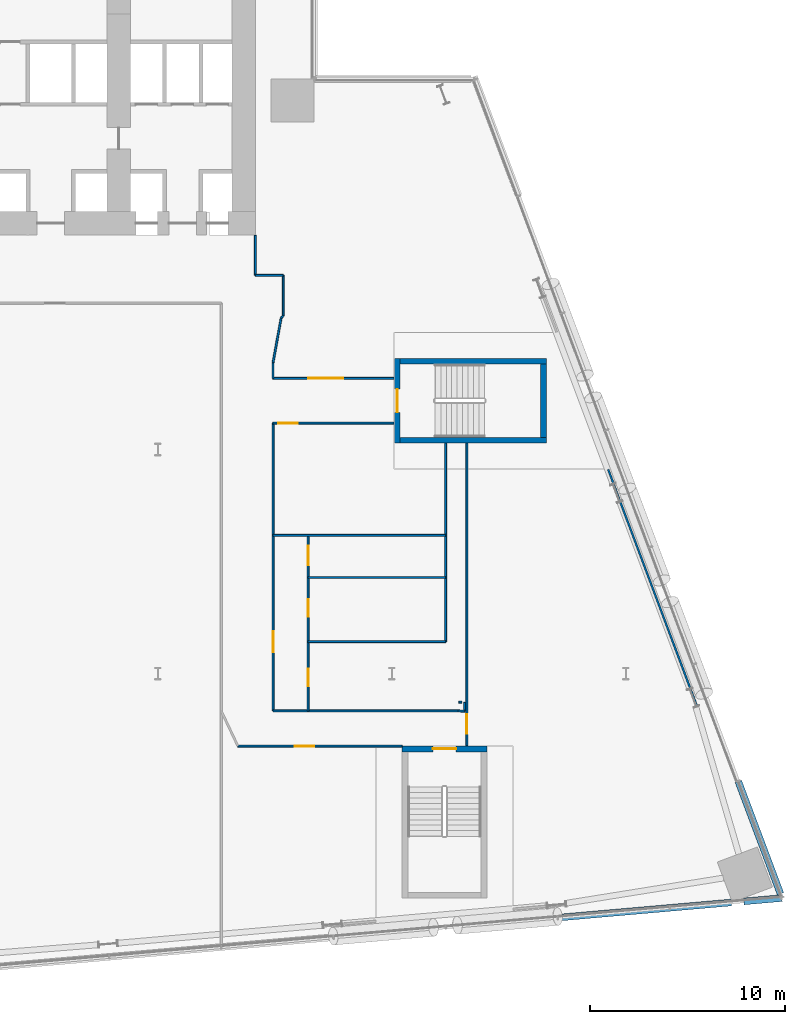
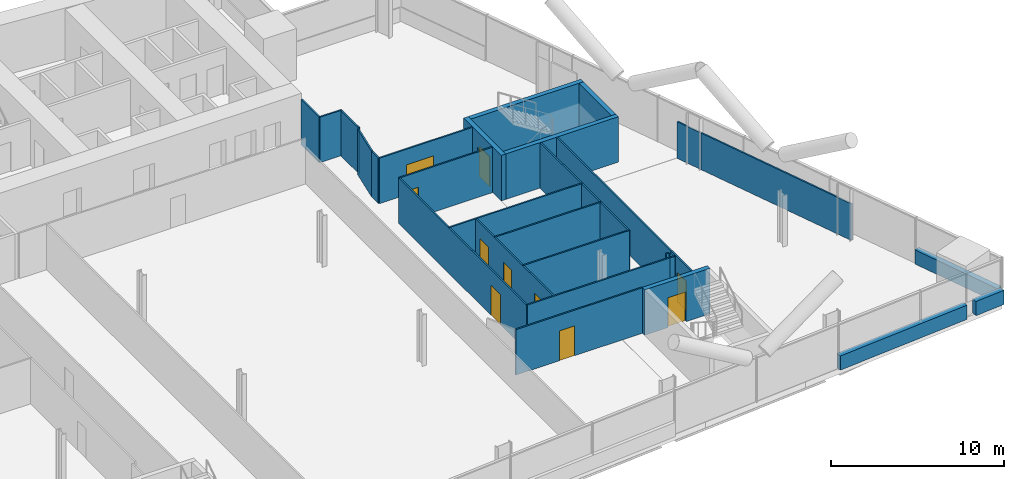
# One storey, part 17 of 25: 30 walls, 10 doors, 10 openings.
"""IFC4 building model written with IfcOpenShell, lengths in metres."""

import ifcopenshell
import ifcopenshell.guid

model = None  # the IFC model being written
_history = None  # IfcOwnerHistory: only IFC2X3 demands one
_inside = {}  # id of a spatial element -> (the spatial element, [elements in it])
_under = {}  # id of a project, library or spatial element -> (it, [spatial elements below it])
_declared = {}  # id of a project -> (the project, [libraries it declares])
_typed = {}  # id of a type object -> (the type object, [elements of that type])
_made_of = {}  # id of a material, layer set ... -> (it, [elements and type objects made of it])


def new_model(schema):
    """Start an empty IFC model of exactly this schema.

    Asked for "IFC4X3", IfcOpenShell would pick the latest addendum, in which some entities
    have other attributes; the version numbers below select the first issue.
    IFC2X3 requires an IfcOwnerHistory on every rooted entity: one is made here for all.
    """
    global model, _history
    if schema == "IFC4X3":
        model = ifcopenshell.file(schema_version=(4, 3, 0, 0))
    else:
        model = ifcopenshell.file(schema=schema)
    _inside.clear()
    _under.clear()
    _declared.clear()
    _typed.clear()
    _made_of.clear()
    _history = None
    if model.schema == "IFC2X3":
        org = make("IfcOrganization", Name="unknown")
        user = make(
            "IfcPersonAndOrganization",
            ThePerson=make("IfcPerson", FamilyName="unknown"),
            TheOrganization=org,
        )
        app = make(
            "IfcApplication",
            ApplicationDeveloper=org,
            Version="unknown",
            ApplicationFullName="unknown",
            ApplicationIdentifier="unknown",
        )
        _history = make(
            "IfcOwnerHistory",
            OwningUser=user,
            OwningApplication=app,
            ChangeAction="ADDED",
            CreationDate=0,
        )
    return model


def make(cls, **values):
    """One entity of the class cls with the attributes given. An attribute that is None is left unset."""
    return model.create_entity(
        cls, **{name: value for name, value in values.items() if value is not None}
    )


def rooted(cls, **values):
    """An entity with a GlobalId (a new one), such as an element, a storey or a relation."""
    return make(cls, GlobalId=ifcopenshell.guid.new(), OwnerHistory=_history, **values)


def si_unit(unit_type, name, prefix=None):
    """IfcSIUnit, for example si_unit("LENGTHUNIT", "METRE", prefix="MILLI")."""
    return make("IfcSIUnit", UnitType=unit_type, Prefix=prefix, Name=name)


def assignment(units):
    """IfcUnitAssignment: the units of a project."""
    return None if units is None else make("IfcUnitAssignment", Units=units)


def point(xyz):
    """IfcCartesianPoint."""
    return None if xyz is None else make("IfcCartesianPoint", Coordinates=xyz)


def direction(xyz):
    """IfcDirection."""
    return None if xyz is None else make("IfcDirection", DirectionRatios=xyz)


def frame(location, z_axis=None, x_axis=None):
    """IfcAxis2Placement3D, a coordinate frame: its origin and axes. An axis left out is left unset."""
    return make(
        "IfcAxis2Placement3D",
        Location=point(location),
        Axis=direction(z_axis),
        RefDirection=direction(x_axis),
    )


def frame_2d(location, x_axis=None):
    """IfcAxis2Placement2D, a coordinate frame in the plane: its origin and x axis."""
    return make(
        "IfcAxis2Placement2D", Location=point(location), RefDirection=direction(x_axis)
    )


def origin():
    """The frame at (0, 0, 0) with its axes left unset."""
    return frame((0.0, 0.0, 0.0))


def place(relative_to, where):
    """IfcLocalPlacement: puts the frame where relative to a parent placement (None: the world)."""
    return make(
        "IfcLocalPlacement", PlacementRelTo=relative_to, RelativePlacement=where
    )


def context(
    kind, dimensions, precision=None, world=None, true_north=None, identifier=None
):
    """IfcGeometricRepresentationContext, for example the 3D "Model" context."""
    return make(
        "IfcGeometricRepresentationContext",
        ContextIdentifier=identifier,
        ContextType=kind,
        CoordinateSpaceDimension=dimensions,
        Precision=precision,
        WorldCoordinateSystem=world,
        TrueNorth=true_north,
    )


def subcontext(parent, identifier, kind, view, scale=None):
    """IfcGeometricRepresentationSubContext, for example "Body" below "Model"."""
    return make(
        "IfcGeometricRepresentationSubContext",
        ContextIdentifier=identifier,
        ContextType=kind,
        ParentContext=parent,
        TargetScale=scale,
        TargetView=view,
    )


def project(units=None, contexts=None):
    """IfcProject with its units and contexts."""
    return rooted(
        "IfcProject",
        Name="project",
        RepresentationContexts=contexts,
        UnitsInContext=assignment(units),
    )


def spatial(cls, under=None, at=None, **own):
    """A site, building, storey or space (cls), placed at a placement, below another one or the project."""
    s = rooted(cls, ObjectPlacement=at, **own)
    if under is not None:
        _under.setdefault(under.id(), (under, []))[1].append(s)
    return s


def profile(cls, at=None, kind="AREA", **sizes):
    """A parametric profile (cls). Its sizes go by their IFC names, for example OverallWidth=200.0."""
    return make(cls, ProfileType=kind, Position=at, **sizes)


def rectangle(**sizes):
    """IfcRectangleProfileDef."""
    return profile("IfcRectangleProfileDef", **sizes)


def extrude(swept, where, along, depth):
    """IfcExtrudedAreaSolid: the profile swept, set in the frame where, extruded along a direction by depth."""
    return make(
        "IfcExtrudedAreaSolid",
        SweptArea=swept,
        Position=where,
        ExtrudedDirection=direction(along),
        Depth=depth,
    )


def shape(context_of_items, identifier, shape_type, items):
    """IfcShapeRepresentation: the items that make up one representation, for example the "Body"."""
    return make(
        "IfcShapeRepresentation",
        ContextOfItems=context_of_items,
        RepresentationIdentifier=identifier,
        RepresentationType=shape_type,
        Items=items,
    )


def material(Name=None, Category=None):
    """IfcMaterial."""
    return make("IfcMaterial", Name=Name, Category=Category)


def layer(
    of_material, thickness, ventilated=None, Name=None, Category=None, Priority=None
):
    """IfcMaterialLayer: one layer of a wall or slab, of a material (None: an air gap)."""
    return make(
        "IfcMaterialLayer",
        Material=of_material,
        LayerThickness=thickness,
        IsVentilated=ventilated,
        Name=Name,
        Category=Category,
        Priority=Priority,
    )


def layer_set(layers, Name=None):
    """IfcMaterialLayerSet."""
    return make("IfcMaterialLayerSet", MaterialLayers=layers, LayerSetName=Name)


def made_of(thing, what):
    """Note that an element or type object is made of a material, layer set ...; save() writes the relation."""
    if what is not None:
        _made_of.setdefault(what.id(), (what, []))[1].append(thing)
    return thing


def type_object(cls, material=None, **own):
    """A type object (cls), such as IfcWallType, which elements share."""
    return made_of(rooted(cls, **own), material)


def element(
    cls,
    number,
    at=None,
    inside=None,
    cuts=None,
    type_object=None,
    material=None,
    context=None,
    identifier="Body",
    shape_type=None,
    held_by="IfcProductDefinitionShape",
    body=None,
    shapes=None,
    **own,
):
    """One element of the class cls, such as IfcWall. Its Tag is "e" and its number.

    at: its placement. inside: the storey or other place that contains it. cuts: it is an
    opening in that element (IfcRelVoidsElement). A single representation is given by context,
    identifier, shape_type and body (its items); several are given by shapes. held_by: the class
    of the entity that holds the representations. save() writes the other relations.
    """
    e = rooted(cls, Tag="e%d" % number, ObjectPlacement=at, **own)
    if body is not None:
        shapes = [shape(context, identifier, shape_type, body)]
    if shapes is not None:
        e.Representation = make(held_by, Representations=shapes)
    if inside is not None:
        _inside.setdefault(inside.id(), (inside, []))[1].append(e)
    if cuts is not None:
        rooted(
            "IfcRelVoidsElement", RelatingBuildingElement=cuts, RelatedOpeningElement=e
        )
    if type_object is not None:
        _typed.setdefault(type_object.id(), (type_object, []))[1].append(e)
    return made_of(e, material)


def fill(opening, filler):
    """IfcRelFillsElement: the door or window that sits in an opening."""
    return rooted(
        "IfcRelFillsElement",
        RelatingOpeningElement=opening,
        RelatedBuildingElement=filler,
    )


def aggregate(whole, parts):
    """IfcRelAggregates: a whole, such as a stair, and the parts it consists of."""
    return rooted("IfcRelAggregates", RelatingObject=whole, RelatedObjects=parts)


def save(model, path):
    """Write the relations noted so far, then the file.

    IfcRelAggregates (storeys below a building ...), IfcRelContainedInSpatialStructure (elements
    in a storey), IfcRelDefinesByType, IfcRelAssociatesMaterial and IfcRelDeclares: one each for
    every whole, place, type object, material and project.
    """
    for whole, parts in _under.values():
        aggregate(whole, parts)
    for where, things in _inside.values():
        rooted(
            "IfcRelContainedInSpatialStructure",
            RelatedElements=things,
            RelatingStructure=where,
        )
    for kind, things in _typed.values():
        rooted("IfcRelDefinesByType", RelatedObjects=things, RelatingType=kind)
    for what, things in _made_of.values():
        rooted("IfcRelAssociatesMaterial", RelatedObjects=things, RelatingMaterial=what)
    for by, libraries in _declared.values():
        rooted("IfcRelDeclares", RelatingContext=by, RelatedDefinitions=libraries)
    model.write(path)


model = new_model("IFC4")

# Units and contexts
model_context = context("Model", 3, precision=1e-05, world=origin(), true_north=direction((0.0, 1.0)))
body_context = subcontext(model_context, "Body", "Model", "MODEL_VIEW")
ifc_project = project(units=[si_unit("LENGTHUNIT", "METRE"), si_unit("AREAUNIT", "SQUARE_METRE"), si_unit("VOLUMEUNIT", "CUBIC_METRE"), si_unit("PLANEANGLEUNIT", "RADIAN"), si_unit("MASSUNIT", "GRAM", prefix="KILO")], contexts=[model_context])

# Site, building, storey
site_placement = place(None, origin())
site = spatial("IfcSite", under=ifc_project, at=site_placement, CompositionType="ELEMENT")
building_placement = place(site_placement, origin())
building = spatial("IfcBuilding", under=site, at=building_placement, Name="Wharfspan Tower", CompositionType="ELEMENT")
storey_placement = place(building_placement, frame((0.0, 0.0, 63.100098)))
storey = spatial("IfcBuildingStorey", under=building, at=storey_placement, Name="L12", CompositionType="ELEMENT", Elevation=63.100098)

# Wall, opening, door
ifc_material_1 = material(Name="Gypsum board on steel studs", Category="steel")
ifc_layer_1 = layer(ifc_material_1, 0.100098)
ifc_layer_set_1 = layer_set([ifc_layer_1], Name="Gypsum board on steel studs")
wall_type_1 = type_object("IfcWallType", Name="Compartment wall 100 EI 60", PredefinedType="PARTITIONING", material=ifc_layer_set_1)
wall_1_placement = place(storey_placement, frame((64.100098, 7.790039, 0.0), z_axis=(0.0, 0.0, 1.0), x_axis=(1.0, 0.0, 0.0)))
wall_1 = element("IfcWall", 1, at=wall_1_placement, inside=storey, type_object=wall_type_1, Name="Partition L12.w021", PredefinedType="PARTITIONING", context=body_context, shape_type="SweptSolid", body=[
    extrude(rectangle(XDim=8.41748, YDim=0.100098, at=frame_2d((4.20874, 0.0))), origin(), (0.0, 0.0, 1.0), 3.199951),
])
opening_1_placement = place(wall_1_placement, frame((2.913086, 0.0, 0.0)))
opening_1 = element("IfcOpeningElement", 2, at=opening_1_placement, cuts=wall_1, Name="Opening A3-01", PredefinedType="OPENING", context=body_context, shape_type="SweptSolid", body=[
    extrude(rectangle(XDim=1.0, YDim=2.100098, at=frame_2d((0.5, 1.050049))), frame((0.0, 0.060059, 0.0), z_axis=(0.0, -1.0, 0.0), x_axis=(1.0, 0.0, 0.0)), (0.0, 0.0, 1.0), 0.120117),
])
ifc_material_2 = material(Name="Fire-rated timber door leaf in steel frame", Category="steel")
door_type_1 = type_object("IfcDoorType", Name="Door 1000 FD30S Left", OperationType="SINGLE_SWING_LEFT", PredefinedType="DOOR", material=ifc_material_2)
door_1_placement = place(opening_1_placement, origin())
door_1 = element("IfcDoor", 3, at=door_1_placement, inside=storey, type_object=door_type_1, Name="Door A3-01", OperationType="SINGLE_SWING_LEFT", OverallHeight=2.100098, OverallWidth=1.0, PredefinedType="DOOR", context=body_context, shape_type="SweptSolid", body=[
    extrude(rectangle(XDim=1.0, YDim=2.100098, at=frame_2d((0.5, 1.050049))), frame((0.0, 0.024902, 0.0), z_axis=(0.0, -1.0, 0.0), x_axis=(1.0, 0.0, 0.0)), (0.0, 0.0, 1.0), 0.050049),
])
fill(opening_1, door_1)

# Walls
wall_2_placement = place(storey_placement, frame((65.0, 31.925049, 0.0), z_axis=(0.0, 0.0, 1.0), x_axis=(0.0, 1.0, 0.0)))
element("IfcWall", 4, at=wall_2_placement, inside=storey, type_object=wall_type_1, Name="Partition L12.w023", PredefinedType="PARTITIONING", context=body_context, shape_type="SweptSolid", body=[
    extrude(rectangle(XDim=2.054932, YDim=0.100098, at=frame_2d((1.027344, 0.0))), origin(), (0.0, 0.0, 1.0), 3.199951),
])
wall_3_placement = place(storey_placement, frame((65.0, 31.925049, 0.0), z_axis=(0.0, 0.0, 1.0), x_axis=(1.0, 0.0, 0.0)))
element("IfcWall", 5, at=wall_3_placement, inside=storey, type_object=wall_type_1, Name="Partition L12.w024", PredefinedType="PARTITIONING", context=body_context, shape_type="SweptSolid", body=[
    extrude(rectangle(XDim=1.425049, YDim=0.100098, at=frame_2d((0.712402, 0.0))), origin(), (0.0, 0.0, 1.0), 3.199951),
])

# Wall, opening, door
wall_4_placement = place(storey_placement, frame((65.899902, 24.350098, 0.0), z_axis=(0.0, 0.0, 1.0), x_axis=(1.0, 0.0, 0.0)))
wall_4 = element("IfcWall", 6, at=wall_4_placement, inside=storey, type_object=wall_type_1, Name="Partition L12.w025", PredefinedType="PARTITIONING", context=body_context, shape_type="SweptSolid", body=[
    extrude(rectangle(XDim=6.205078, YDim=0.100098, at=frame_2d((3.102539, 0.0))), origin(), (0.0, 0.0, 1.0), 3.199951),
])
opening_2_placement = place(wall_4_placement, frame((0.264893, 0.0, 0.0)))
opening_2 = element("IfcOpeningElement", 7, at=opening_2_placement, cuts=wall_4, Name="Opening A3-09", PredefinedType="OPENING", context=body_context, shape_type="SweptSolid", body=[
    extrude(rectangle(XDim=1.0, YDim=2.100098, at=frame_2d((0.5, 1.050049))), frame((0.0, 0.060059, 0.0), z_axis=(0.0, -1.0, 0.0), x_axis=(1.0, 0.0, 0.0)), (0.0, 0.0, 1.0), 0.120117),
])
door_2_placement = place(opening_2_placement, origin())
door_2 = element("IfcDoor", 8, at=door_2_placement, inside=storey, type_object=door_type_1, Name="Door A3-09", OperationType="SINGLE_SWING_LEFT", OverallHeight=2.100098, OverallWidth=1.0, PredefinedType="DOOR", context=body_context, shape_type="SweptSolid", body=[
    extrude(rectangle(XDim=1.0, YDim=2.100098, at=frame_2d((0.5, 1.050049))), frame((0.0, 0.024902, 0.0), z_axis=(0.0, -1.0, 0.0), x_axis=(1.0, 0.0, 0.0)), (0.0, 0.0, 1.0), 0.050049),
])
fill(opening_2, door_2)

# Wall
wall_5_placement = place(storey_placement, frame((65.899902, 26.649902, 0.0), z_axis=(0.0, 0.0, 1.0), x_axis=(0.0, 1.0, 0.0)))
element("IfcWall", 9, at=wall_5_placement, inside=storey, type_object=wall_type_1, Name="Partition L12.w026", PredefinedType="PARTITIONING", context=body_context, shape_type="SweptSolid", body=[
    extrude(rectangle(XDim=0.785156, YDim=0.100098, at=frame_2d((0.392578, 0.0))), origin(), (0.0, 0.0, 1.0), 3.199951),
])

# Wall, opening, door
wall_6_placement = place(storey_placement, frame((65.899902, 26.649902, 0.0), z_axis=(0.0, 0.0, 1.0), x_axis=(1.0, 0.0, 0.0)))
wall_6 = element("IfcWall", 10, at=wall_6_placement, inside=storey, type_object=wall_type_1, Name="Partition L12.w027", PredefinedType="PARTITIONING", context=body_context, shape_type="SweptSolid", body=[
    extrude(rectangle(XDim=6.205078, YDim=0.100098, at=frame_2d((3.102539, 0.0))), origin(), (0.0, 0.0, 1.0), 3.199951),
])
opening_3_placement = place(wall_6_placement, frame((1.804932, 0.0, 0.0)))
opening_3 = element("IfcOpeningElement", 11, at=opening_3_placement, cuts=wall_6, Name="Opening A3-11", PredefinedType="OPENING", context=body_context, shape_type="SweptSolid", body=[
    extrude(rectangle(XDim=1.800049, YDim=2.100098, at=frame_2d((0.899902, 1.050049))), frame((0.0, 0.060059, 0.0), z_axis=(0.0, -1.0, 0.0), x_axis=(1.0, 0.0, 0.0)), (0.0, 0.0, 1.0), 0.120117),
])
door_type_2 = type_object("IfcDoorType", Name="Door 1800 FD30S Double", OperationType="DOUBLE_DOOR_SINGLE_SWING", PredefinedType="DOOR", material=ifc_material_2)
door_3_placement = place(opening_3_placement, origin())
door_3 = element("IfcDoor", 12, at=door_3_placement, inside=storey, type_object=door_type_2, Name="Door A3-11", OperationType="DOUBLE_DOOR_SINGLE_SWING", OverallHeight=2.100098, OverallWidth=1.800049, PredefinedType="DOOR", context=body_context, shape_type="SweptSolid", body=[
    extrude(rectangle(XDim=1.800049, YDim=2.100098, at=frame_2d((0.899902, 1.050049))), frame((0.0, 0.024902, 0.0), z_axis=(0.0, -1.0, 0.0), x_axis=(1.0, 0.0, 0.0)), (0.0, 0.0, 1.0), 0.050049),
])
fill(opening_3, door_3)

# Wall
wall_7_placement = place(storey_placement, frame((65.899902, 27.435059, 0.0), z_axis=(0.0, 0.0, 1.0), x_axis=(0.178584, 0.983924, 0.0)))
element("IfcWall", 13, at=wall_7_placement, inside=storey, type_object=wall_type_1, Name="Partition L12.w028", PredefinedType="PARTITIONING", context=body_context, shape_type="SweptSolid", body=[
    extrude(rectangle(XDim=2.352783, YDim=0.100098, at=frame_2d((1.17627, 0.0))), origin(), (0.0, 0.0, 1.0), 3.199951),
])

# Wall, opening, door
wall_8_placement = place(storey_placement, frame((65.909912, 9.600098, 0.0), z_axis=(0.0, 0.0, 1.0), x_axis=(0.0, 1.0, 0.0)))
wall_8 = element("IfcWall", 14, at=wall_8_placement, inside=storey, type_object=wall_type_1, Name="Partition L12.w029", PredefinedType="PARTITIONING", context=body_context, shape_type="SweptSolid", body=[
    extrude(rectangle(XDim=14.75, YDim=0.100098, at=frame_2d((7.375, 0.0))), origin(), (0.0, 0.0, 1.0), 3.199951),
])
opening_4_placement = place(wall_8_placement, frame((2.98999, 0.0, 0.0)))
opening_4 = element("IfcOpeningElement", 15, at=opening_4_placement, cuts=wall_8, Name="Opening A3-04", PredefinedType="OPENING", context=body_context, shape_type="SweptSolid", body=[
    extrude(rectangle(XDim=1.100098, YDim=2.100098, at=frame_2d((0.550049, 1.050049))), frame((0.0, 0.060059, 0.0), z_axis=(0.0, -1.0, 0.0), x_axis=(1.0, 0.0, 0.0)), (0.0, 0.0, 1.0), 0.120117),
])
door_type_3 = type_object("IfcDoorType", Name="Door 1100 FD30S Left", OperationType="SINGLE_SWING_LEFT", PredefinedType="DOOR", material=ifc_material_2)
door_4_placement = place(opening_4_placement, origin())
door_4 = element("IfcDoor", 16, at=door_4_placement, inside=storey, type_object=door_type_3, Name="Door A3-04", OperationType="SINGLE_SWING_LEFT", OverallHeight=2.100098, OverallWidth=1.100098, PredefinedType="DOOR", context=body_context, shape_type="SweptSolid", body=[
    extrude(rectangle(XDim=1.100098, YDim=2.100098, at=frame_2d((0.550049, 1.050049))), frame((0.0, 0.024902, 0.0), z_axis=(0.0, -1.0, 0.0), x_axis=(1.0, 0.0, 0.0)), (0.0, 0.0, 1.0), 0.050049),
])
fill(opening_4, door_4)

# Walls
wall_9_placement = place(storey_placement, frame((65.909912, 9.600098, 0.0), z_axis=(0.0, 0.0, 1.0), x_axis=(1.0, 0.0, 0.0)))
element("IfcWall", 17, at=wall_9_placement, inside=storey, type_object=wall_type_1, Name="Partition L12.w030", PredefinedType="PARTITIONING", context=body_context, shape_type="SweptSolid", body=[
    extrude(rectangle(XDim=9.485107, YDim=0.100098, at=frame_2d((4.742676, 0.0))), origin(), (0.0, 0.0, 1.0), 3.199951),
])
wall_10_placement = place(storey_placement, frame((65.909912, 18.594971, 0.0), z_axis=(0.0, 0.0, 1.0), x_axis=(1.0, 0.0, 0.0)))
element("IfcWall", 18, at=wall_10_placement, inside=storey, type_object=wall_type_1, Name="Partition L12.w031", PredefinedType="PARTITIONING", context=body_context, shape_type="SweptSolid", body=[
    extrude(rectangle(XDim=8.840088, YDim=0.100098, at=frame_2d((4.419922, 0.0))), origin(), (0.0, 0.0, 1.0), 3.199951),
])
wall_11_placement = place(storey_placement, frame((66.320068, 29.75, 0.0), z_axis=(0.0, 0.0, 1.0), x_axis=(0.741581, 0.670872, 0.0)))
element("IfcWall", 19, at=wall_11_placement, inside=storey, type_object=wall_type_1, Name="Partition L12.w032", PredefinedType="PARTITIONING", context=body_context, shape_type="SweptSolid", body=[
    extrude(rectangle(XDim=0.141602, YDim=0.100098, at=frame_2d((0.070801, 0.0))), origin(), (0.0, 0.0, 1.0), 3.199951),
])
wall_12_placement = place(storey_placement, frame((66.425049, 29.844971, 0.0), z_axis=(0.0, 0.0, 1.0), x_axis=(0.0, 1.0, 0.0)))
element("IfcWall", 20, at=wall_12_placement, inside=storey, type_object=wall_type_1, Name="Partition L12.w033", PredefinedType="PARTITIONING", context=body_context, shape_type="SweptSolid", body=[
    extrude(rectangle(XDim=2.080078, YDim=0.100098, at=frame_2d((1.040039, 0.0))), origin(), (0.0, 0.0, 1.0), 3.199951),
])

# Wall, openings, doors
wall_13_placement = place(storey_placement, frame((67.699951, 9.600098, 0.0), z_axis=(0.0, 0.0, 1.0), x_axis=(0.0, 1.0, 0.0)))
wall_13 = element("IfcWall", 21, at=wall_13_placement, inside=storey, type_object=wall_type_1, Name="Partition L12.w034", PredefinedType="PARTITIONING", context=body_context, shape_type="SweptSolid", body=[
    extrude(rectangle(XDim=8.994873, YDim=0.100098, at=frame_2d((4.497559, 0.0))), origin(), (0.0, 0.0, 1.0), 3.199951),
])
opening_5_placement = place(wall_13_placement, frame((1.264404, 0.0, 0.0)))
opening_5 = element("IfcOpeningElement", 22, at=opening_5_placement, cuts=wall_13, Name="Opening A3-03", PredefinedType="OPENING", context=body_context, shape_type="SweptSolid", body=[
    extrude(rectangle(XDim=0.899902, YDim=2.100098, at=frame_2d((0.449951, 1.050049))), frame((0.0, 0.060059, 0.0), z_axis=(0.0, -1.0, 0.0), x_axis=(1.0, 0.0, 0.0)), (0.0, 0.0, 1.0), 0.120117),
])
opening_6_placement = place(wall_13_placement, frame((4.819092, 0.0, 0.0)))
opening_6 = element("IfcOpeningElement", 23, at=opening_6_placement, cuts=wall_13, Name="Opening A3-06", PredefinedType="OPENING", context=body_context, shape_type="SweptSolid", body=[
    extrude(rectangle(XDim=0.899902, YDim=2.100098, at=frame_2d((0.449951, 1.050049))), frame((0.0, 0.060059, 0.0), z_axis=(0.0, -1.0, 0.0), x_axis=(1.0, 0.0, 0.0)), (0.0, 0.0, 1.0), 0.120117),
])
opening_7_placement = place(wall_13_placement, frame((7.454102, 0.0, 0.0)))
opening_7 = element("IfcOpeningElement", 24, at=opening_7_placement, cuts=wall_13, Name="Opening A3-07", PredefinedType="OPENING", context=body_context, shape_type="SweptSolid", body=[
    extrude(rectangle(XDim=1.0, YDim=2.100098, at=frame_2d((0.5, 1.050049))), frame((0.0, 0.060059, 0.0), z_axis=(0.0, -1.0, 0.0), x_axis=(1.0, 0.0, 0.0)), (0.0, 0.0, 1.0), 0.120117),
])
ifc_material_3 = material(Name="Timber door leaf in steel frame", Category="steel")
door_type_4 = type_object("IfcDoorType", Name="Door 1000 NOT RATED Right", OperationType="SINGLE_SWING_RIGHT", PredefinedType="DOOR", material=ifc_material_3)
door_5_placement = place(opening_7_placement, origin())
door_5 = element("IfcDoor", 25, at=door_5_placement, inside=storey, type_object=door_type_4, Name="Door A3-07", OperationType="SINGLE_SWING_RIGHT", OverallHeight=2.100098, OverallWidth=1.0, PredefinedType="DOOR", context=body_context, shape_type="SweptSolid", body=[
    extrude(rectangle(XDim=1.0, YDim=2.100098, at=frame_2d((0.5, 1.050049))), frame((0.0, 0.024902, 0.0), z_axis=(0.0, -1.0, 0.0), x_axis=(1.0, 0.0, 0.0)), (0.0, 0.0, 1.0), 0.050049),
])
fill(opening_7, door_5)
door_type_5 = type_object("IfcDoorType", Name="Door 900 NOT RATED Left", OperationType="SINGLE_SWING_LEFT", PredefinedType="DOOR", material=ifc_material_3)
door_6_placement = place(opening_5_placement, origin())
door_6 = element("IfcDoor", 26, at=door_6_placement, inside=storey, type_object=door_type_5, Name="Door A3-03", OperationType="SINGLE_SWING_LEFT", OverallHeight=2.100098, OverallWidth=0.899902, PredefinedType="DOOR", context=body_context, shape_type="SweptSolid", body=[
    extrude(rectangle(XDim=0.899902, YDim=2.100098, at=frame_2d((0.449951, 1.050049))), frame((0.0, 0.024902, 0.0), z_axis=(0.0, -1.0, 0.0), x_axis=(1.0, 0.0, 0.0)), (0.0, 0.0, 1.0), 0.050049),
])
fill(opening_5, door_6)
door_type_6 = type_object("IfcDoorType", Name="Door 900 NOT RATED Right", OperationType="SINGLE_SWING_RIGHT", PredefinedType="DOOR", material=ifc_material_3)
door_7_placement = place(opening_6_placement, origin())
door_7 = element("IfcDoor", 27, at=door_7_placement, inside=storey, type_object=door_type_6, Name="Door A3-06", OperationType="SINGLE_SWING_RIGHT", OverallHeight=2.100098, OverallWidth=0.899902, PredefinedType="DOOR", context=body_context, shape_type="SweptSolid", body=[
    extrude(rectangle(XDim=0.899902, YDim=2.100098, at=frame_2d((0.449951, 1.050049))), frame((0.0, 0.024902, 0.0), z_axis=(0.0, -1.0, 0.0), x_axis=(1.0, 0.0, 0.0)), (0.0, 0.0, 1.0), 0.050049),
])
fill(opening_6, door_7)

# Walls
wall_14_placement = place(storey_placement, frame((75.429932, 10.044922, 0.0), z_axis=(0.0, 0.0, 1.0), x_axis=(1.0, 0.0, 0.0)))
element("IfcWall", 28, at=wall_14_placement, inside=storey, type_object=wall_type_1, Name="Partition L12.w039", PredefinedType="PARTITIONING", context=body_context, shape_type="SweptSolid", body=[
    extrude(rectangle(XDim=0.160156, YDim=0.100098, at=frame_2d((0.080078, 0.0))), origin(), (0.0, 0.0, 1.0), 3.199951),
])
wall_15_placement = place(storey_placement, frame((75.725098, 9.574951, 0.0), z_axis=(0.0, 0.0, 1.0), x_axis=(-0.99817, 0.06054, 0.0)))
element("IfcWall", 29, at=wall_15_placement, inside=storey, type_object=wall_type_1, Name="Partition L12.w040", PredefinedType="PARTITIONING", context=body_context, shape_type="SweptSolid", body=[
    extrude(rectangle(XDim=0.330566, YDim=0.100098, at=frame_2d((0.165283, 0.0))), origin(), (0.0, 0.0, 1.0), 3.199951),
])
wall_16_placement = place(storey_placement, frame((75.725098, 9.574951, 0.0), z_axis=(0.0, 0.0, 1.0), x_axis=(0.0, 1.0, 0.0)))
element("IfcWall", 30, at=wall_16_placement, inside=storey, type_object=wall_type_1, Name="Partition L12.w041", PredefinedType="PARTITIONING", context=body_context, shape_type="SweptSolid", body=[
    extrude(rectangle(XDim=0.449951, YDim=0.100098, at=frame_2d((0.225098, 0.0))), origin(), (0.0, 0.0, 1.0), 3.199951),
])

# Wall, opening, door
wall_17_placement = place(storey_placement, frame((75.844971, 7.812012, 0.0), z_axis=(0.0, 0.0, 1.0), x_axis=(0.0, 1.0, 0.0)))
wall_17 = element("IfcWall", 31, at=wall_17_placement, inside=storey, type_object=wall_type_1, Name="Partition L12.w042", PredefinedType="PARTITIONING", context=body_context, shape_type="SweptSolid", body=[
    extrude(rectangle(XDim=15.512939, YDim=0.100098, at=frame_2d((7.756348, 0.0))), origin(), (0.0, 0.0, 1.0), 3.199951),
])
opening_8_placement = place(wall_17_placement, frame((0.5979, 0.0, 0.0)))
opening_8 = element("IfcOpeningElement", 32, at=opening_8_placement, cuts=wall_17, Name="Opening A3-02", PredefinedType="OPENING", context=body_context, shape_type="SweptSolid", body=[
    extrude(rectangle(XDim=1.0, YDim=2.100098, at=frame_2d((0.5, 1.050049))), frame((0.0, 0.060059, 0.0), z_axis=(0.0, -1.0, 0.0), x_axis=(1.0, 0.0, 0.0)), (0.0, 0.0, 1.0), 0.120117),
])
door_8_placement = place(opening_8_placement, origin())
door_8 = element("IfcDoor", 33, at=door_8_placement, inside=storey, type_object=door_type_1, Name="Door A3-02", OperationType="SINGLE_SWING_LEFT", OverallHeight=2.100098, OverallWidth=1.0, PredefinedType="DOOR", context=body_context, shape_type="SweptSolid", body=[
    extrude(rectangle(XDim=1.0, YDim=2.100098, at=frame_2d((0.5, 1.050049))), frame((0.0, 0.024902, 0.0), z_axis=(0.0, -1.0, 0.0), x_axis=(1.0, 0.0, 0.0)), (0.0, 0.0, 1.0), 0.050049),
])
fill(opening_8, door_8)

# Walls
ifc_layer_2 = layer(ifc_material_1, 0.100098)
ifc_layer_set_2 = layer_set([ifc_layer_2], Name="Gypsum board on steel studs")
wall_type_2 = type_object("IfcWallType", Name="Partition 100", PredefinedType="PARTITIONING", material=ifc_layer_set_2)
for number, where, z_axis, x_axis, name in (
    (34, (67.699951, 13.149902, 0.0), (0.0, 0.0, 1.0), (1.0, 0.0, 0.0), "Partition L12.w035"),
    (35, (67.699951, 16.435059, 0.0), (0.0, 0.0, 1.0), (1.0, 0.0, 0.0), "Partition L12.w036"),
):
    element("IfcWall", number, at=place(storey_placement, frame(where, z_axis=z_axis, x_axis=x_axis)), inside=storey, type_object=wall_type_2, Name=name, PredefinedType="PARTITIONING", context=body_context, shape_type="SweptSolid", body=[
        extrude(rectangle(XDim=7.050049, YDim=0.100098, at=frame_2d((3.524902, 0.0))), origin(), (0.0, 0.0, 1.0), 3.199951),
    ])
wall_18_placement = place(storey_placement, frame((74.75, 13.149902, 0.0), z_axis=(0.0, 0.0, 1.0), x_axis=(0.0, 1.0, 0.0)))
element("IfcWall", 36, at=wall_18_placement, inside=storey, type_object=wall_type_2, Name="Partition L12.w038", PredefinedType="PARTITIONING", context=body_context, shape_type="SweptSolid", body=[
    extrude(rectangle(XDim=10.175049, YDim=0.100098, at=frame_2d((5.087402, 0.0))), origin(), (0.0, 0.0, 1.0), 3.199951),
])
wall_19_placement = place(storey_placement, frame((83.709961, 20.310059, 0.0), z_axis=(0.0, 0.0, 1.0), x_axis=(-0.349322, 0.937005, 0.0)))
element("IfcWall", 37, at=wall_19_placement, inside=storey, type_object=wall_type_2, Name="Partition L12.w045", PredefinedType="PARTITIONING", context=body_context, shape_type="SweptSolid", body=[
    extrude(rectangle(XDim=1.782227, YDim=0.100098, at=frame_2d((0.891113, 0.0))), origin(), (0.0, 0.0, 1.0), 2.579834),
])
wall_20_placement = place(storey_placement, frame((87.649902, 9.810059, 0.0), z_axis=(0.0, 0.0, 1.0), x_axis=(-0.351395, 0.936227, 0.0)))
element("IfcWall", 38, at=wall_20_placement, inside=storey, type_object=wall_type_2, Name="Partition L12.w046", PredefinedType="PARTITIONING", context=body_context, shape_type="SweptSolid", body=[
    extrude(rectangle(XDim=11.226074, YDim=0.100098, at=frame_2d((5.613037, 0.0))), origin(), (0.0, 0.0, 1.0), 2.579834),
])
ifc_material_4 = material(Name="Concrete C40/50", Category="concrete")
ifc_layer_3 = layer(ifc_material_4, 0.350098)
ifc_layer_set_3 = layer_set([ifc_layer_3], Name="Concrete C40/50")
wall_type_3 = type_object("IfcWallType", Name="SPANDREL EXPOSED CONCRETE 350", PredefinedType="SOLIDWALL", material=ifc_layer_set_3)
wall_21_placement = place(storey_placement, frame((80.530273, -1.008545, 0.0), z_axis=(0.0, 0.0, 1.0), x_axis=(0.996198, 0.087169, 0.0)))
element("IfcWall", 39, at=wall_21_placement, inside=storey, type_object=wall_type_3, Name="Spandrel upstand L12 S2 2", PredefinedType="SOLIDWALL", context=body_context, shape_type="SweptSolid", body=[
    extrude(rectangle(XDim=8.912109, YDim=0.350098, at=frame_2d((4.456055, 0.0))), origin(), (0.0, 0.0, 1.0), 1.0),
])
wall_22_placement = place(storey_placement, frame((90.039062, -0.176514, 0.0), z_axis=(0.0, 0.0, 1.0), x_axis=(0.996193, 0.08717, 0.0)))
element("IfcWall", 40, at=wall_22_placement, inside=storey, type_object=wall_type_3, Name="Spandrel upstand L12 S2 3", PredefinedType="SOLIDWALL", context=body_context, shape_type="SweptSolid", body=[
    extrude(rectangle(XDim=1.968994, YDim=0.350098, at=frame_2d((0.984375, 0.0))), origin(), (0.0, 0.0, 1.0), 1.0),
])
wall_23_placement = place(storey_placement, frame((91.926025, 0.211182, 0.0), z_axis=(0.0, 0.0, 1.0), x_axis=(-0.351118, 0.936328, 0.0)))
element("IfcWall", 41, at=wall_23_placement, inside=storey, type_object=wall_type_3, Name="Spandrel upstand L12 E 1", PredefinedType="SOLIDWALL", context=body_context, shape_type="SweptSolid", body=[
    extrude(rectangle(XDim=6.154297, YDim=0.350098, at=frame_2d((3.077148, 0.0))), origin(), (0.0, 0.0, 1.0), 1.0),
])

# Wall, opening, door
ifc_layer_4 = layer(ifc_material_4, 0.300049)
ifc_layer_set_4 = layer_set([ifc_layer_4], Name="Concrete C40/50")
wall_type_4 = type_object("IfcWallType", Name="Stair core wall 300", PredefinedType="SHEAR", material=ifc_layer_set_4)
wall_24_placement = place(storey_placement, frame((72.517578, 7.64209, 0.0), z_axis=(0.0, 0.0, 1.0), x_axis=(1.0, 0.0, 0.0)))
wall_24 = element("IfcWall", 42, at=wall_24_placement, inside=storey, type_object=wall_type_4, Name="ST5 stair enclosure wall L12", PredefinedType="SHEAR", context=body_context, shape_type="SweptSolid", body=[
    extrude(rectangle(XDim=4.349854, YDim=0.300049, at=frame_2d((2.174805, 0.0))), origin(), (0.0, 0.0, 1.0), 3.199951),
])
opening_9_placement = place(wall_24_placement, frame((1.574951, 0.0, 0.0)))
opening_9 = element("IfcOpeningElement", 43, at=opening_9_placement, cuts=wall_24, Name="Opening SD5.L12", PredefinedType="OPENING", context=body_context, shape_type="SweptSolid", body=[
    extrude(rectangle(XDim=1.199951, YDim=2.100098, at=frame_2d((0.600098, 1.050049))), frame((0.0, 0.159912, 0.0), z_axis=(0.0, -1.0, 0.0), x_axis=(1.0, 0.0, 0.0)), (0.0, 0.0, 1.0), 0.320068),
])
ifc_material_5 = material(Name="Steel door leaf", Category="steel")
door_type_7 = type_object("IfcDoorType", Name="Stair door 1200x2100", OperationType="SINGLE_SWING_LEFT", PredefinedType="DOOR", material=ifc_material_5)
door_9_placement = place(opening_9_placement, origin())
door_9 = element("IfcDoor", 44, at=door_9_placement, inside=storey, type_object=door_type_7, Name="sd:L12:ST5z1", OperationType="SINGLE_SWING_RIGHT", OverallHeight=2.100098, OverallWidth=1.199951, PredefinedType="DOOR", context=body_context, shape_type="SweptSolid", body=[
    extrude(rectangle(XDim=1.199951, YDim=2.100098, at=frame_2d((0.600098, 1.050049))), frame((0.0, 0.024902, 0.0), z_axis=(0.0, -1.0, 0.0), x_axis=(1.0, 0.0, 0.0)), (0.0, 0.0, 1.0), 0.050049),
])
fill(opening_9, door_9)

wall_25_placement = place(storey_placement, frame((72.274902, 23.324951, 0.0), z_axis=(0.0, 0.0, 1.0), x_axis=(0.0, 1.0, 0.0)))
wall_25 = element("IfcWall", 45, at=wall_25_placement, inside=storey, type_object=wall_type_4, Name="ST6 stair enclosure wall L12", PredefinedType="SHEAR", context=body_context, shape_type="SweptSolid", body=[
    extrude(rectangle(XDim=4.350098, YDim=0.300049, at=frame_2d((2.175049, 0.0))), origin(), (0.0, 0.0, 1.0), 3.199951),
])
opening_10_placement = place(wall_25_placement, frame((1.574951, 0.0, 0.0)))
opening_10 = element("IfcOpeningElement", 46, at=opening_10_placement, cuts=wall_25, Name="Opening SD6.L12", PredefinedType="OPENING", context=body_context, shape_type="SweptSolid", body=[
    extrude(rectangle(XDim=1.199951, YDim=2.100098, at=frame_2d((0.600098, 1.050049))), frame((0.0, 0.159912, 0.0), z_axis=(0.0, -1.0, 0.0), x_axis=(1.0, 0.0, 0.0)), (0.0, 0.0, 1.0), 0.320068),
])
door_10_placement = place(opening_10_placement, origin())
door_10 = element("IfcDoor", 47, at=door_10_placement, inside=storey, type_object=door_type_7, Name="sd:L12:ST6z1", OperationType="SINGLE_SWING_RIGHT", OverallHeight=2.100098, OverallWidth=1.199951, PredefinedType="DOOR", context=body_context, shape_type="SweptSolid", body=[
    extrude(rectangle(XDim=1.199951, YDim=2.100098, at=frame_2d((0.600098, 1.050049))), frame((0.0, 0.024902, 0.0), z_axis=(0.0, -1.0, 0.0), x_axis=(1.0, 0.0, 0.0)), (0.0, 0.0, 1.0), 0.050049),
])
fill(opening_10, door_10)

# Walls
for number, where, z_axis, x_axis, name in (
    (48, (72.425049, 23.475098, 0.0), (0.0, 0.0, 1.0), (1.0, 0.0, 0.0), "ST6 stair enclosure wall L12"),
    (49, (72.425049, 27.524902, 0.0), (0.0, 0.0, 1.0), (1.0, 0.0, 0.0), "ST6 stair enclosure wall L12"),
):
    element("IfcWall", number, at=place(storey_placement, frame(where, z_axis=z_axis, x_axis=x_axis)), inside=storey, type_object=wall_type_4, Name=name, PredefinedType="SHEAR", context=body_context, shape_type="SweptSolid", body=[
        extrude(rectangle(XDim=7.5, YDim=0.300049, at=frame_2d((3.75, 0.0))), origin(), (0.0, 0.0, 1.0), 3.199951),
    ])
wall_26_placement = place(storey_placement, frame((79.774902, 23.625, 0.0), z_axis=(0.0, 0.0, 1.0), x_axis=(0.0, 1.0, 0.0)))
element("IfcWall", 50, at=wall_26_placement, inside=storey, type_object=wall_type_4, Name="ST6 stair enclosure wall L12", PredefinedType="SHEAR", context=body_context, shape_type="SweptSolid", body=[
    extrude(rectangle(XDim=3.75, YDim=0.300049, at=frame_2d((1.875, 0.0))), origin(), (0.0, 0.0, 1.0), 3.199951),
])

save(model, "model.ifc")
